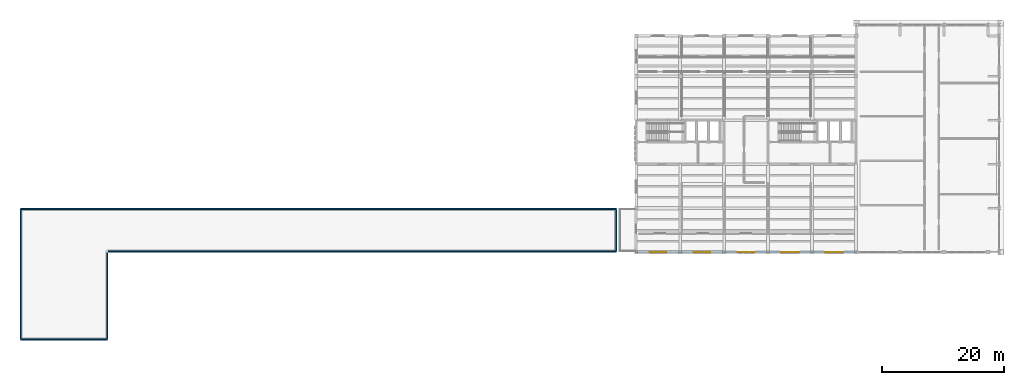
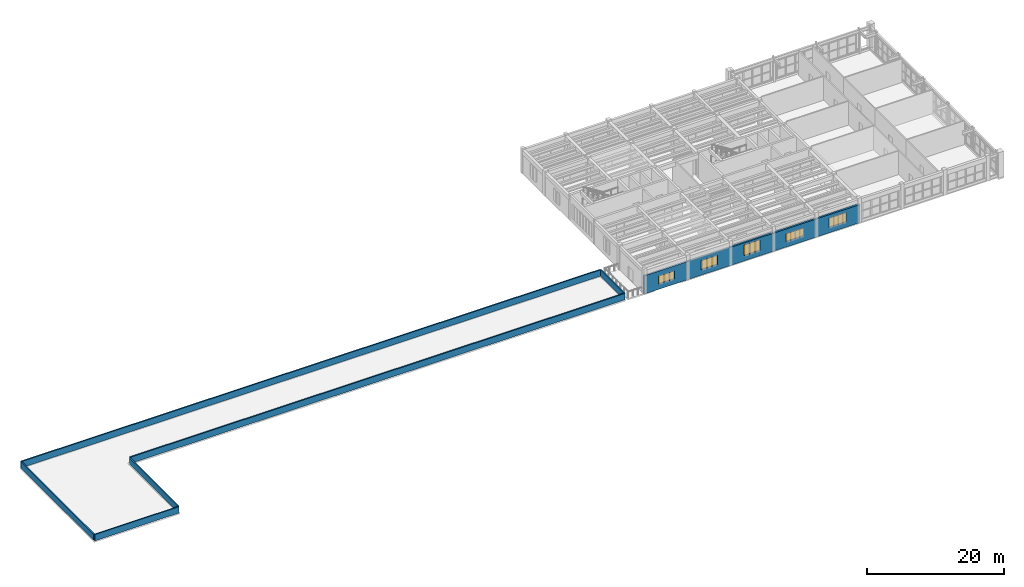
# One storey, part 11 of 18: 7 walls, 5 windows, 5 openings.
"""IFC4 building model written with IfcOpenShell, lengths in metres."""

from ifc_helpers import new_model, si_unit, direction, frame, frame_2d, origin, place, context, subcontext, project, spatial, rectangle, extrude, material, layer, layer_set, type_object, element, fill, save


model = new_model("IFC4")

# Units and contexts
model_context = context("Model", 3, precision=1e-05, world=origin(), true_north=direction((0.0, 1.0)))
body_context = subcontext(model_context, "Body", "Model", "MODEL_VIEW")
ifc_project = project(units=[si_unit("LENGTHUNIT", "METRE"), si_unit("AREAUNIT", "SQUARE_METRE"), si_unit("VOLUMEUNIT", "CUBIC_METRE"), si_unit("PLANEANGLEUNIT", "RADIAN"), si_unit("MASSUNIT", "GRAM", prefix="KILO")], contexts=[model_context])

# Site, building, storey
site_placement = place(None, origin())
site = spatial("IfcSite", under=ifc_project, at=site_placement, CompositionType="ELEMENT")
building_placement = place(site_placement, origin())
building = spatial("IfcBuilding", under=site, at=building_placement, Name="Mithqara Police Headquarters", CompositionType="ELEMENT")
storey_placement = place(building_placement, frame((0.0, 0.0, 26.39990234375)))
storey = spatial("IfcBuildingStorey", under=building, at=storey_placement, Name="L06", CompositionType="ELEMENT", Elevation=26.39990234375)

# Wall, openings, windows
ifc_material_1 = material(Name="Ochre masonry cavity wall, 35 MPa", Category="masonry")
ifc_layer_1 = layer(ifc_material_1, 0.300048828125, Name="Ochre masonry cavity wall, 35 MPa")
ifc_layer_set_1 = layer_set([ifc_layer_1], Name="Ochre masonry cavity wall, 35 MPa")
wall_type_1 = type_object("IfcWallType", Name="EXT WALL OCHRE BRICK300", PredefinedType="SOLIDWALL", material=ifc_layer_set_1)
wall_1_placement = place(storey_placement, frame((108.449951171875, 78.60009765625, 0.0), z_axis=(0.0, 0.0, 1.0), x_axis=(1.0, 0.0, 0.0)))
wall_1 = element("IfcWall", 1, at=wall_1_placement, inside=storey, type_object=wall_type_1, Name="L06 Exterior Wall 1.1", PredefinedType="SOLIDWALL", context=body_context, shape_type="SweptSolid", body=[
    extrude(rectangle(XDim=36.300048828125, YDim=0.300048828125, at=frame_2d((18.14990234375, 0.0))), origin(), (0.0, 0.0, 1.0), 3.22021484375),
])
opening_1_placement = place(wall_1_placement, frame((2.39990234375, 0.0, 0.949951171875)))
opening_1 = element("IfcOpeningElement", 2, at=opening_1_placement, cuts=wall_1, Name="Opening W-51", PredefinedType="OPENING", context=body_context, shape_type="SweptSolid", body=[
    extrude(rectangle(XDim=2.699951171875, YDim=1.39990234375, at=frame_2d((1.35009765625, 0.699951171875))), frame((0.0, 0.16015625, 0.0), z_axis=(0.0, -1.0, 0.0), x_axis=(1.0, 0.0, 0.0)), (0.0, 0.0, 1.0), 0.320068359375),
])
opening_2_placement = place(wall_1_placement, frame((9.60009765625, 0.0, 0.949951171875)))
opening_2 = element("IfcOpeningElement", 3, at=opening_2_placement, cuts=wall_1, Name="Opening W-52", PredefinedType="OPENING", context=body_context, shape_type="SweptSolid", body=[
    extrude(rectangle(XDim=2.699951171875, YDim=1.64990234375, at=frame_2d((1.35009765625, 0.824951171875))), frame((0.0, 0.16015625, 0.0), z_axis=(0.0, -1.0, 0.0), x_axis=(1.0, 0.0, 0.0)), (0.0, 0.0, 1.0), 0.320068359375),
])
opening_3_placement = place(wall_1_placement, frame((16.800048828125, 0.0, 0.949951171875)))
opening_3 = element("IfcOpeningElement", 4, at=opening_3_placement, cuts=wall_1, Name="Opening W-53", PredefinedType="OPENING", context=body_context, shape_type="SweptSolid", body=[
    extrude(rectangle(XDim=2.699951171875, YDim=1.89990234375, at=frame_2d((1.35009765625, 0.949951171875))), frame((0.0, 0.16015625, 0.0), z_axis=(0.0, -1.0, 0.0), x_axis=(1.0, 0.0, 0.0)), (0.0, 0.0, 1.0), 0.320068359375),
])
opening_4_placement = place(wall_1_placement, frame((23.875, 0.0, 0.949951171875)))
opening_4 = element("IfcOpeningElement", 5, at=opening_4_placement, cuts=wall_1, Name="Opening W-56", PredefinedType="OPENING", context=body_context, shape_type="SweptSolid", body=[
    extrude(rectangle(XDim=2.949951171875, YDim=1.39990234375, at=frame_2d((1.47509765625, 0.699951171875))), frame((0.0, 0.16015625, 0.0), z_axis=(0.0, -1.0, 0.0), x_axis=(1.0, 0.0, 0.0)), (0.0, 0.0, 1.0), 0.320068359375),
])
opening_5_placement = place(wall_1_placement, frame((31.074951171875, 0.0, 0.949951171875)))
opening_5 = element("IfcOpeningElement", 6, at=opening_5_placement, cuts=wall_1, Name="Opening W-57", PredefinedType="OPENING", context=body_context, shape_type="SweptSolid", body=[
    extrude(rectangle(XDim=2.949951171875, YDim=1.64990234375, at=frame_2d((1.47509765625, 0.824951171875))), frame((0.0, 0.16015625, 0.0), z_axis=(0.0, -1.0, 0.0), x_axis=(1.0, 0.0, 0.0)), (0.0, 0.0, 1.0), 0.320068359375),
])
ifc_material_2 = material(Name="Spectrally selective double low-e glass", Category="glass")
window_type_1 = type_object("IfcWindowType", Name="WINDOW 2700X1400", PartitioningType="DOUBLE_PANEL_VERTICAL", PredefinedType="WINDOW", material=ifc_material_2)
window_1_placement = place(opening_1_placement, origin())
window_1 = element("IfcWindow", 7, at=window_1_placement, inside=storey, type_object=window_type_1, Name="L06 Command Block Screened Window 1.1", OverallHeight=1.39990234375, OverallWidth=2.699951171875, PartitioningType="SINGLE_PANEL", PredefinedType="WINDOW", context=body_context, shape_type="SweptSolid", body=[
    extrude(rectangle(XDim=2.699951171875, YDim=1.39990234375, at=frame_2d((1.35009765625, 0.699951171875))), frame((0.0, 0.030029296875, 0.0), z_axis=(0.0, -1.0, 0.0), x_axis=(1.0, 0.0, 0.0)), (0.0, 0.0, 1.0), 0.06005859375),
])
fill(opening_1, window_1)
window_type_2 = type_object("IfcWindowType", Name="WINDOW 2700X1650", PartitioningType="DOUBLE_PANEL_VERTICAL", PredefinedType="WINDOW", material=ifc_material_2)
window_2_placement = place(opening_2_placement, origin())
window_2 = element("IfcWindow", 8, at=window_2_placement, inside=storey, type_object=window_type_2, Name="L06 Command Block Screened Window 1.2", OverallHeight=1.64990234375, OverallWidth=2.699951171875, PartitioningType="SINGLE_PANEL", PredefinedType="WINDOW", context=body_context, shape_type="SweptSolid", body=[
    extrude(rectangle(XDim=2.699951171875, YDim=1.64990234375, at=frame_2d((1.35009765625, 0.824951171875))), frame((0.0, 0.030029296875, 0.0), z_axis=(0.0, -1.0, 0.0), x_axis=(1.0, 0.0, 0.0)), (0.0, 0.0, 1.0), 0.06005859375),
])
fill(opening_2, window_2)
window_type_3 = type_object("IfcWindowType", Name="WINDOW 2700X1900", PartitioningType="DOUBLE_PANEL_VERTICAL", PredefinedType="WINDOW", material=ifc_material_2)
window_3_placement = place(opening_3_placement, origin())
window_3 = element("IfcWindow", 9, at=window_3_placement, inside=storey, type_object=window_type_3, Name="L06 Command Block Screened Window 1.3", OverallHeight=1.89990234375, OverallWidth=2.699951171875, PartitioningType="SINGLE_PANEL", PredefinedType="WINDOW", context=body_context, shape_type="SweptSolid", body=[
    extrude(rectangle(XDim=2.699951171875, YDim=1.89990234375, at=frame_2d((1.35009765625, 0.949951171875))), frame((0.0, 0.030029296875, 0.0), z_axis=(0.0, -1.0, 0.0), x_axis=(1.0, 0.0, 0.0)), (0.0, 0.0, 1.0), 0.06005859375),
])
fill(opening_3, window_3)
window_type_4 = type_object("IfcWindowType", Name="WINDOW 2950X1400", PartitioningType="DOUBLE_PANEL_VERTICAL", PredefinedType="WINDOW", material=ifc_material_2)
window_4_placement = place(opening_4_placement, origin())
window_4 = element("IfcWindow", 10, at=window_4_placement, inside=storey, type_object=window_type_4, Name="L06 Command Block Screened Window 1.4", OverallHeight=1.39990234375, OverallWidth=2.949951171875, PartitioningType="SINGLE_PANEL", PredefinedType="WINDOW", context=body_context, shape_type="SweptSolid", body=[
    extrude(rectangle(XDim=2.949951171875, YDim=1.39990234375, at=frame_2d((1.47509765625, 0.699951171875))), frame((0.0, 0.030029296875, 0.0), z_axis=(0.0, -1.0, 0.0), x_axis=(1.0, 0.0, 0.0)), (0.0, 0.0, 1.0), 0.06005859375),
])
fill(opening_4, window_4)
window_type_5 = type_object("IfcWindowType", Name="WINDOW 2950X1650", PartitioningType="DOUBLE_PANEL_VERTICAL", PredefinedType="WINDOW", material=ifc_material_2)
window_5_placement = place(opening_5_placement, origin())
window_5 = element("IfcWindow", 11, at=window_5_placement, inside=storey, type_object=window_type_5, Name="L06 Command Block Screened Window 1.5", OverallHeight=1.64990234375, OverallWidth=2.949951171875, PartitioningType="SINGLE_PANEL", PredefinedType="WINDOW", context=body_context, shape_type="SweptSolid", body=[
    extrude(rectangle(XDim=2.949951171875, YDim=1.64990234375, at=frame_2d((1.47509765625, 0.824951171875))), frame((0.0, 0.030029296875, 0.0), z_axis=(0.0, -1.0, 0.0), x_axis=(1.0, 0.0, 0.0)), (0.0, 0.0, 1.0), 0.06005859375),
])
fill(opening_5, window_5)

# Walls
ifc_material_3 = material(Name="Limestone ashlar masonry, 45 MPa", Category="masonry")
ifc_layer_2 = layer(ifc_material_3, 0.199951171875, Name="Limestone ashlar masonry, 45 MPa")
ifc_layer_set_2 = layer_set([ifc_layer_2], Name="Limestone ashlar masonry, 45 MPa")
wall_type_2 = type_object("IfcWallType", Name="PARAPET WALL 200", PredefinedType="PARAPET", material=ifc_layer_set_2)
wall_2_placement = place(storey_placement, frame((105.340087890625, 85.580078125, 0.0), z_axis=(0.0, 0.0, 1.0), x_axis=(0.0, -1.0, 0.0)))
element("IfcWall", 12, at=wall_2_placement, inside=storey, type_object=wall_type_2, Name="L06 Limestone Roof Parapet ROOF-L05-00-2", PredefinedType="PARAPET", context=body_context, shape_type="SweptSolid", body=[
    extrude(rectangle(XDim=6.760009765625, YDim=0.199951171875, at=frame_2d((3.3798828125, 0.0))), origin(), (0.0, 0.0, 1.0), 1.1201171875),
])
wall_3_placement = place(storey_placement, frame((22.090087890625, 78.489990234375, 0.0), z_axis=(0.0, 0.0, 1.0), x_axis=(0.0, -1.0, 0.0)))
element("IfcWall", 13, at=wall_3_placement, inside=storey, type_object=wall_type_2, Name="L06 Limestone Roof Parapet ROOF-L05-00-20", PredefinedType="PARAPET", context=body_context, shape_type="SweptSolid", body=[
    extrude(rectangle(XDim=14.070068359375, YDim=0.199951171875, at=frame_2d((7.03515625, 0.0))), origin(), (0.0, 0.0, 1.0), 1.1201171875),
])
wall_4_placement = place(storey_placement, frame((7.909912109375, 64.419921875, 0.0), z_axis=(0.0, 0.0, 1.0), x_axis=(0.0, 1.0, 0.0)))
element("IfcWall", 14, at=wall_4_placement, inside=storey, type_object=wall_type_2, Name="L06 Limestone Roof Parapet ROOF-L05-00-22", PredefinedType="PARAPET", context=body_context, shape_type="SweptSolid", body=[
    extrude(rectangle(XDim=21.16015625, YDim=0.199951171875, at=frame_2d((10.580078125, 0.0))), origin(), (0.0, 0.0, 1.0), 1.1201171875),
])
ifc_layer_3 = layer(ifc_material_3, 0.219970703125, Name="Limestone ashlar masonry, 45 MPa")
ifc_layer_set_3 = layer_set([ifc_layer_3], Name="Limestone ashlar masonry, 45 MPa")
wall_type_3 = type_object("IfcWallType", Name="PARAPET WALL 220", PredefinedType="PARAPET", material=ifc_layer_set_3)
wall_5_placement = place(storey_placement, frame((7.909912109375, 85.68994140625, 0.0), z_axis=(0.0, 0.0, 1.0), x_axis=(1.0, 0.0, 0.0)))
element("IfcWall", 15, at=wall_5_placement, inside=storey, type_object=wall_type_3, Name="L06 Limestone Roof Parapet ROOF-L05-00-1", PredefinedType="PARAPET", context=body_context, shape_type="SweptSolid", body=[
    extrude(rectangle(XDim=97.43017578125, YDim=0.219970703125, at=frame_2d((48.715087890625, 0.0))), origin(), (0.0, 0.0, 1.0), 1.1201171875),
])
wall_6_placement = place(storey_placement, frame((105.340087890625, 78.7099609375, 0.0), z_axis=(0.0, 0.0, 1.0), x_axis=(-1.0, 0.0, 0.0)))
element("IfcWall", 16, at=wall_6_placement, inside=storey, type_object=wall_type_3, Name="L06 Limestone Roof Parapet ROOF-L05-00-3", PredefinedType="PARAPET", context=body_context, shape_type="SweptSolid", body=[
    extrude(rectangle(XDim=83.14013671875, YDim=0.219970703125, at=frame_2d((41.570068359375, 0.0))), origin(), (0.0, 0.0, 1.0), 1.1201171875),
])
wall_7_placement = place(storey_placement, frame((22.090087890625, 64.31005859375, 0.0), z_axis=(0.0, 0.0, 1.0), x_axis=(-1.0, 0.0, 0.0)))
element("IfcWall", 17, at=wall_7_placement, inside=storey, type_object=wall_type_3, Name="L06 Limestone Roof Parapet ROOF-L05-00-21", PredefinedType="PARAPET", context=body_context, shape_type="SweptSolid", body=[
    extrude(rectangle(XDim=14.18017578125, YDim=0.219970703125, at=frame_2d((7.090087890625, 0.0))), origin(), (0.0, 0.0, 1.0), 1.1201171875),
])

save(model, "model.ifc")
